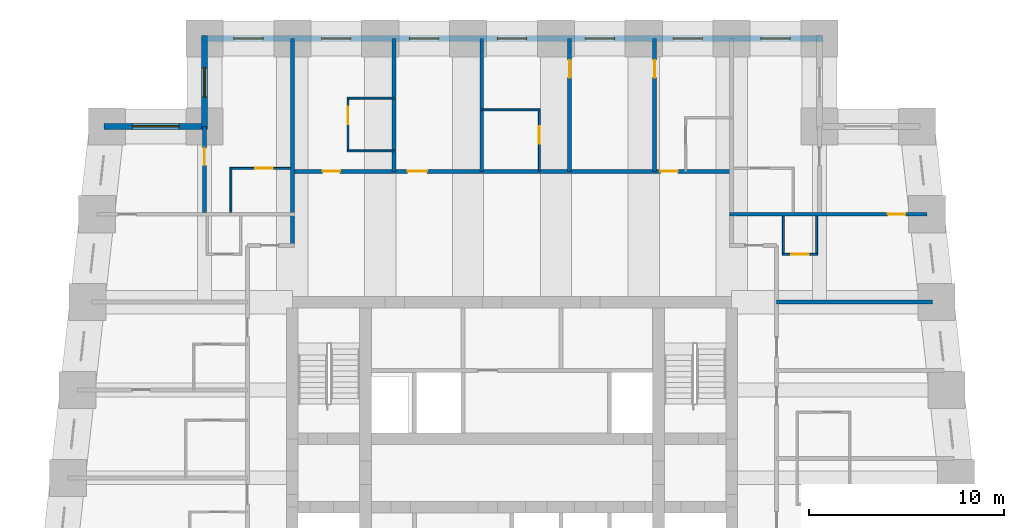
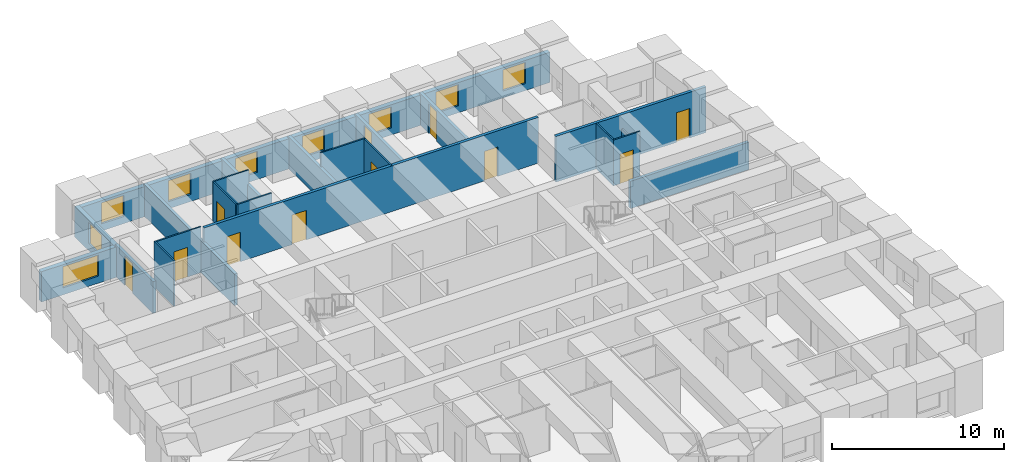
# One storey, part 6 of 8: 22 walls, 11 doors, 9 windows, 20 openings.
"""IFC4 building model written with IfcOpenShell, lengths in metres."""

from ifc_helpers import new_model, si_unit, direction, frame, frame_2d, origin, place, context, subcontext, project, spatial, rectangle, extrude, material, layer, layer_set, type_object, element, fill, save


model = new_model("IFC4")

# Units and contexts
model_context = context("Model", 3, precision=1e-05, world=origin(), true_north=direction((0.0, 1.0)))
body_context = subcontext(model_context, "Body", "Model", "MODEL_VIEW")
ifc_project = project(units=[si_unit("LENGTHUNIT", "METRE"), si_unit("AREAUNIT", "SQUARE_METRE"), si_unit("VOLUMEUNIT", "CUBIC_METRE"), si_unit("PLANEANGLEUNIT", "RADIAN"), si_unit("MASSUNIT", "GRAM", prefix="KILO")], contexts=[model_context])

# Site, building, storey
site_placement = place(None, origin())
site = spatial("IfcSite", under=ifc_project, at=site_placement, CompositionType="ELEMENT")
building_placement = place(site_placement, origin())
building = spatial("IfcBuilding", under=site, at=building_placement, Name="Kilele Tower Hotel", CompositionType="ELEMENT")
storey_placement = place(building_placement, frame((0.0, 0.0, 128.39990234375)))
storey = spatial("IfcBuildingStorey", under=building, at=storey_placement, Name="L33", CompositionType="ELEMENT", Elevation=128.39990234375)

# Walls
ifc_material_1 = material(Name="Moisture-resistant board")
ifc_layer_1 = layer(ifc_material_1, 0.10009765625)
ifc_layer_set_1 = layer_set([ifc_layer_1], Name="Moisture-resistant board")
wall_type_1 = type_object("IfcWallType", Name="Bathroom partition 100", PredefinedType="PLUMBINGWALL", material=ifc_layer_set_1)
for number, where, z_axis, x_axis, name in (
    (1, (16.300048828125, 34.75, 0.0), (0.0, 0.0, 1.0), (1.0, 0.0, 0.0), "Bathroom partition 100 L33"),
    (2, (16.300048828125, 37.449951171875, 0.0), (0.0, 0.0, 1.0), (1.0, 0.0, 0.0), "Bathroom partition 100 L33"),
):
    element("IfcWall", number, at=place(storey_placement, frame(where, z_axis=z_axis, x_axis=x_axis)), inside=storey, type_object=wall_type_1, Name=name, PredefinedType="PLUMBINGWALL", context=body_context, shape_type="SweptSolid", body=[
        extrude(rectangle(XDim=2.39990234375, YDim=0.10009765625, at=frame_2d((1.199951171875, 0.0))), origin(), (0.0, 0.0, 1.0), 3.25),
    ])

# Wall, opening, door
wall_1_placement = place(storey_placement, frame((16.35009765625, 34.699951171875, 0.0), z_axis=(0.0, 0.0, 1.0), x_axis=(0.0, 1.0, 0.0)))
wall_1 = element("IfcWall", 3, at=wall_1_placement, inside=storey, type_object=wall_type_1, Name="Bathroom partition 100 L33", PredefinedType="PLUMBINGWALL", context=body_context, shape_type="SweptSolid", body=[
    extrude(rectangle(XDim=2.800048828125, YDim=0.10009765625, at=frame_2d((1.39990234375, 0.0))), origin(), (0.0, 0.0, 1.0), 3.25),
])
opening_1_placement = place(wall_1_placement, frame((1.39990234375, 0.0, 0.0)))
opening_1 = element("IfcOpeningElement", 4, at=opening_1_placement, cuts=wall_1, Name="Opening D2A", PredefinedType="OPENING", context=body_context, shape_type="SweptSolid", body=[
    extrude(rectangle(XDim=0.89990234375, YDim=2.10009765625, at=frame_2d((0.449951171875, 1.050048828125))), frame((0.0, 0.06005859375, 0.0), z_axis=(0.0, -1.0, 0.0), x_axis=(1.0, 0.0, 0.0)), (0.0, 0.0, 1.0), 0.1201171875),
])
ifc_material_2 = material(Name="Timber door leaf in hardwood frame", Category="wood")
door_type_1 = type_object("IfcDoorType", Name="Bathroom door 900", OperationType="SINGLE_SWING_LEFT", PredefinedType="DOOR", material=ifc_material_2)
door_1_placement = place(opening_1_placement, origin())
door_1 = element("IfcDoor", 5, at=door_1_placement, inside=storey, type_object=door_type_1, Name="Bathroom door 3309B", OperationType="SINGLE_SWING_RIGHT", OverallHeight=2.10009765625, OverallWidth=0.89990234375, PredefinedType="DOOR", context=body_context, shape_type="SweptSolid", body=[
    extrude(rectangle(XDim=0.89990234375, YDim=2.10009765625, at=frame_2d((0.449951171875, 1.050048828125))), frame((0.0, 0.02490234375, 0.0), z_axis=(0.0, -1.0, 0.0), x_axis=(1.0, 0.0, 0.0)), (0.0, 0.0, 1.0), 0.050048828125),
])
fill(opening_1, door_1)

# Wall
wall_2_placement = place(storey_placement, frame((23.199951171875, 36.85009765625, 0.0), z_axis=(0.0, 0.0, 1.0), x_axis=(1.0, 0.0, 0.0)))
element("IfcWall", 6, at=wall_2_placement, inside=storey, type_object=wall_type_1, Name="Bathroom partition 100 L33", PredefinedType="PLUMBINGWALL", context=body_context, shape_type="SweptSolid", body=[
    extrude(rectangle(XDim=3.0, YDim=0.10009765625, at=frame_2d((1.5, 0.0))), origin(), (0.0, 0.0, 1.0), 3.25),
])

# Wall, opening, door
wall_3_placement = place(storey_placement, frame((26.14990234375, 33.699951171875, 0.0), z_axis=(0.0, 0.0, 1.0), x_axis=(0.0, 1.0, 0.0)))
wall_3 = element("IfcWall", 7, at=wall_3_placement, inside=storey, type_object=wall_type_1, Name="Bathroom partition 100 L33", PredefinedType="PLUMBINGWALL", context=body_context, shape_type="SweptSolid", body=[
    extrude(rectangle(XDim=3.199951171875, YDim=0.10009765625, at=frame_2d((1.60009765625, 0.0))), origin(), (0.0, 0.0, 1.0), 3.25),
])
opening_2_placement = place(wall_3_placement, frame((2.2998046875, 0.0, 0.0), z_axis=(0.0, 0.0, 1.0), x_axis=(-1.0, 0.0, 0.0)))
opening_2 = element("IfcOpeningElement", 8, at=opening_2_placement, cuts=wall_3, Name="Opening D2A", PredefinedType="OPENING", context=body_context, shape_type="SweptSolid", body=[
    extrude(rectangle(XDim=0.89990234375, YDim=2.10009765625, at=frame_2d((0.449951171875, 1.050048828125))), frame((0.0, 0.06005859375, 0.0), z_axis=(0.0, -1.0, 0.0), x_axis=(1.0, 0.0, 0.0)), (0.0, 0.0, 1.0), 0.1201171875),
])
door_2_placement = place(opening_2_placement, origin())
door_2 = element("IfcDoor", 9, at=door_2_placement, inside=storey, type_object=door_type_1, Name="Bathroom door 3311B", OperationType="SINGLE_SWING_RIGHT", OverallHeight=2.10009765625, OverallWidth=0.89990234375, PredefinedType="DOOR", context=body_context, shape_type="SweptSolid", body=[
    extrude(rectangle(XDim=0.89990234375, YDim=2.10009765625, at=frame_2d((0.449951171875, 1.050048828125))), frame((0.0, 0.02490234375, 0.0), z_axis=(0.0, -1.0, 0.0), x_axis=(1.0, 0.0, 0.0)), (0.0, 0.0, 1.0), 0.050048828125),
])
fill(opening_2, door_2)

# Walls
wall_4_placement = place(storey_placement, frame((40.35009765625, 31.39990234375, 0.0), z_axis=(0.0, 0.0, 1.0), x_axis=(0.0, -1.0, 0.0)))
element("IfcWall", 10, at=wall_4_placement, inside=storey, type_object=wall_type_1, Name="Bathroom partition 100 L33", PredefinedType="PLUMBINGWALL", context=body_context, shape_type="SweptSolid", body=[
    extrude(rectangle(XDim=2.0, YDim=0.10009765625, at=frame_2d((1.0, 0.0))), origin(), (0.0, 0.0, 1.0), 2.25),
])
wall_5_placement = place(storey_placement, frame((38.64990234375, 31.39990234375, 0.0), z_axis=(0.0, 0.0, 1.0), x_axis=(0.0, -1.0, 0.0)))
element("IfcWall", 11, at=wall_5_placement, inside=storey, type_object=wall_type_1, Name="Bathroom partition 100 L33", PredefinedType="PLUMBINGWALL", context=body_context, shape_type="SweptSolid", body=[
    extrude(rectangle(XDim=2.0, YDim=0.10009765625, at=frame_2d((1.0, 0.0))), origin(), (0.0, 0.0, 1.0), 3.25),
])

# Wall, opening, door
wall_6_placement = place(storey_placement, frame((38.60009765625, 29.449951171875, 0.0), z_axis=(0.0, 0.0, 1.0), x_axis=(1.0, 0.0, 0.0)))
wall_6 = element("IfcWall", 12, at=wall_6_placement, inside=storey, type_object=wall_type_1, Name="Bathroom partition 100 L33", PredefinedType="PLUMBINGWALL", context=body_context, shape_type="SweptSolid", body=[
    extrude(rectangle(XDim=1.7998046875, YDim=0.10009765625, at=frame_2d((0.89990234375, 0.0))), origin(), (0.0, 0.0, 1.0), 3.25),
])
opening_3_placement = place(wall_6_placement, frame((1.349853515625, 0.0, 0.0), z_axis=(0.0, 0.0, 1.0), x_axis=(-1.0, 0.0, 0.0)))
opening_3 = element("IfcOpeningElement", 13, at=opening_3_placement, cuts=wall_6, Name="Opening D2A", PredefinedType="OPENING", context=body_context, shape_type="SweptSolid", body=[
    extrude(rectangle(XDim=0.89990234375, YDim=2.10009765625, at=frame_2d((0.449951171875, 1.050048828125))), frame((0.0, 0.06005859375, 0.0), z_axis=(0.0, -1.0, 0.0), x_axis=(1.0, 0.0, 0.0)), (0.0, 0.0, 1.0), 0.1201171875),
])
door_3_placement = place(opening_3_placement, origin())
door_3 = element("IfcDoor", 14, at=door_3_placement, inside=storey, type_object=door_type_1, Name="Bathroom door 3323P", OperationType="SINGLE_SWING_RIGHT", OverallHeight=2.10009765625, OverallWidth=0.89990234375, PredefinedType="DOOR", context=body_context, shape_type="SweptSolid", body=[
    extrude(rectangle(XDim=0.89990234375, YDim=2.10009765625, at=frame_2d((0.449951171875, 1.050048828125))), frame((0.0, 0.02490234375, 0.0), z_axis=(0.0, -1.0, 0.0), x_axis=(1.0, 0.0, 0.0)), (0.0, 0.0, 1.0), 0.050048828125),
])
fill(opening_3, door_3)

# Wall
wall_7_placement = place(storey_placement, frame((10.35009765625, 31.60009765625, 0.0), z_axis=(0.0, 0.0, 1.0), x_axis=(0.0, 1.0, 0.0)))
element("IfcWall", 15, at=wall_7_placement, inside=storey, type_object=wall_type_1, Name="Bathroom partition 100 L33", PredefinedType="PLUMBINGWALL", context=body_context, shape_type="SweptSolid", body=[
    extrude(rectangle(XDim=2.2998046875, YDim=0.10009765625, at=frame_2d((1.14990234375, 0.0))), origin(), (0.0, 0.0, 1.0), 3.25),
])

# Wall, opening, door
wall_8_placement = place(storey_placement, frame((13.39990234375, 33.85009765625, 0.0), z_axis=(0.0, 0.0, 1.0), x_axis=(-1.0, 0.0, 0.0)))
wall_8 = element("IfcWall", 16, at=wall_8_placement, inside=storey, type_object=wall_type_1, Name="Bathroom partition 100 L33", PredefinedType="PLUMBINGWALL", context=body_context, shape_type="SweptSolid", body=[
    extrude(rectangle(XDim=3.099853515625, YDim=0.10009765625, at=frame_2d((1.5498046875, 0.0))), origin(), (0.0, 0.0, 1.0), 3.25),
])
opening_4_placement = place(wall_8_placement, frame((1.7998046875, 0.0, 0.0), z_axis=(0.0, 0.0, 1.0), x_axis=(-1.0, 0.0, 0.0)))
opening_4 = element("IfcOpeningElement", 17, at=opening_4_placement, cuts=wall_8, Name="Opening D2A", PredefinedType="OPENING", context=body_context, shape_type="SweptSolid", body=[
    extrude(rectangle(XDim=0.89990234375, YDim=2.10009765625, at=frame_2d((0.449951171875, 1.050048828125))), frame((0.0, 0.06005859375, 0.0), z_axis=(0.0, -1.0, 0.0), x_axis=(1.0, 0.0, 0.0)), (0.0, 0.0, 1.0), 0.1201171875),
])
door_4_placement = place(opening_4_placement, origin())
door_4 = element("IfcDoor", 18, at=door_4_placement, inside=storey, type_object=door_type_1, Name="Bathroom door 3327B", OperationType="SINGLE_SWING_RIGHT", OverallHeight=2.10009765625, OverallWidth=0.89990234375, PredefinedType="DOOR", context=body_context, shape_type="SweptSolid", body=[
    extrude(rectangle(XDim=0.89990234375, YDim=2.10009765625, at=frame_2d((0.449951171875, 1.050048828125))), frame((0.0, 0.02490234375, 0.0), z_axis=(0.0, -1.0, 0.0), x_axis=(1.0, 0.0, 0.0)), (0.0, 0.0, 1.0), 0.050048828125),
])
fill(opening_4, door_4)

# Wall, openings, doors
ifc_material_3 = material(Name="Blockwork, plastered both sides", Category="masonry")
ifc_layer_2 = layer(ifc_material_3, 0.199951171875)
ifc_layer_set_2 = layer_set([ifc_layer_2], Name="Blockwork, plastered both sides")
wall_type_2 = type_object("IfcWallType", Name="Corridor wall 200", PredefinedType="PARTITIONING", material=ifc_layer_set_2)
wall_9_placement = place(storey_placement, frame((13.5, 33.699951171875, 0.0), z_axis=(0.0, 0.0, 1.0), x_axis=(1.0, 0.0, 0.0)))
wall_9 = element("IfcWall", 19, at=wall_9_placement, inside=storey, type_object=wall_type_2, Name="Corridor wall 200 L33", PredefinedType="PARTITIONING", context=body_context, shape_type="SweptSolid", body=[
    extrude(rectangle(XDim=22.5, YDim=0.199951171875, at=frame_2d((11.25, 0.0))), origin(), (0.0, 0.0, 1.0), 3.25),
])
opening_5_placement = place(wall_9_placement, frame((1.550048828125, 0.0, 0.0)))
opening_5 = element("IfcOpeningElement", 20, at=opening_5_placement, cuts=wall_9, Name="Opening D1", PredefinedType="OPENING", context=body_context, shape_type="SweptSolid", body=[
    extrude(rectangle(XDim=0.89990234375, YDim=2.10009765625, at=frame_2d((0.449951171875, 1.050048828125))), frame((0.0, 0.10986328125, 0.0), z_axis=(0.0, -1.0, 0.0), x_axis=(1.0, 0.0, 0.0)), (0.0, 0.0, 1.0), 0.219970703125),
])
opening_6_placement = place(wall_9_placement, frame((5.89990234375, 0.0, 0.0)))
opening_6 = element("IfcOpeningElement", 21, at=opening_6_placement, cuts=wall_9, Name="Opening D8", PredefinedType="OPENING", context=body_context, shape_type="SweptSolid", body=[
    extrude(rectangle(XDim=1.0, YDim=2.10009765625, at=frame_2d((0.5, 1.050048828125))), frame((0.0, 0.10986328125, 0.0), z_axis=(0.0, -1.0, 0.0), x_axis=(1.0, 0.0, 0.0)), (0.0, 0.0, 1.0), 0.219970703125),
])
opening_7_placement = place(wall_9_placement, frame((18.85009765625, 0.0, 0.0)))
opening_7 = element("IfcOpeningElement", 22, at=opening_7_placement, cuts=wall_9, Name="Opening D1", PredefinedType="OPENING", context=body_context, shape_type="SweptSolid", body=[
    extrude(rectangle(XDim=0.89990234375, YDim=2.10009765625, at=frame_2d((0.449951171875, 1.050048828125))), frame((0.0, 0.10986328125, 0.0), z_axis=(0.0, -1.0, 0.0), x_axis=(1.0, 0.0, 0.0)), (0.0, 0.0, 1.0), 0.219970703125),
])
ifc_material_4 = material(Name="Timber door leaf in hardwood frame", Category="wood")
door_type_2 = type_object("IfcDoorType", Name="Door 1000", OperationType="SINGLE_SWING_LEFT", PredefinedType="DOOR", material=ifc_material_4)
door_5_placement = place(opening_6_placement, origin())
door_5 = element("IfcDoor", 23, at=door_5_placement, inside=storey, type_object=door_type_2, Name="Room entrance 3310", OperationType="SINGLE_SWING_LEFT", OverallHeight=2.10009765625, OverallWidth=1.0, PredefinedType="DOOR", context=body_context, shape_type="SweptSolid", body=[
    extrude(rectangle(XDim=1.0, YDim=2.10009765625, at=frame_2d((0.5, 1.050048828125))), frame((0.0, 0.02490234375, 0.0), z_axis=(0.0, -1.0, 0.0), x_axis=(1.0, 0.0, 0.0)), (0.0, 0.0, 1.0), 0.050048828125),
])
fill(opening_6, door_5)
ifc_material_5 = material(Name="Timber door leaf in hardwood frame", Category="wood")
door_type_3 = type_object("IfcDoorType", Name="Guest room entrance door 900", OperationType="SINGLE_SWING_LEFT", PredefinedType="DOOR", material=ifc_material_5)
door_6_placement = place(opening_5_placement, origin())
door_6 = element("IfcDoor", 24, at=door_6_placement, inside=storey, type_object=door_type_3, Name="Room entrance 3309", OperationType="SINGLE_SWING_RIGHT", OverallHeight=2.10009765625, OverallWidth=0.89990234375, PredefinedType="DOOR", context=body_context, shape_type="SweptSolid", body=[
    extrude(rectangle(XDim=0.89990234375, YDim=2.10009765625, at=frame_2d((0.449951171875, 1.050048828125))), frame((0.0, 0.02490234375, 0.0), z_axis=(0.0, -1.0, 0.0), x_axis=(1.0, 0.0, 0.0)), (0.0, 0.0, 1.0), 0.050048828125),
])
fill(opening_5, door_6)
door_7_placement = place(opening_7_placement, origin())
door_7 = element("IfcDoor", 25, at=door_7_placement, inside=storey, type_object=door_type_3, Name="Room entrance 3313", OperationType="SINGLE_SWING_LEFT", OverallHeight=2.10009765625, OverallWidth=0.89990234375, PredefinedType="DOOR", context=body_context, shape_type="SweptSolid", body=[
    extrude(rectangle(XDim=0.89990234375, YDim=2.10009765625, at=frame_2d((0.449951171875, 1.050048828125))), frame((0.0, 0.02490234375, 0.0), z_axis=(0.0, -1.0, 0.0), x_axis=(1.0, 0.0, 0.0)), (0.0, 0.0, 1.0), 0.050048828125),
])
fill(opening_7, door_7)

# Wall, opening, door
ifc_material_6 = material(Name="Blockwork, plastered both sides", Category="masonry")
ifc_layer_3 = layer(ifc_material_6, 0.199951171875)
ifc_layer_set_3 = layer_set([ifc_layer_3], Name="Blockwork, plastered both sides")
wall_type_3 = type_object("IfcWallType", Name="Partition wall 200", PredefinedType="PARTITIONING", material=ifc_layer_set_3)
wall_10_placement = place(storey_placement, frame((9.0, 31.60009765625, 0.0), z_axis=(0.0, 0.0, 1.0), x_axis=(0.0, 1.0, 0.0)))
wall_10 = element("IfcWall", 26, at=wall_10_placement, inside=storey, type_object=wall_type_3, Name="Partition wall 200 L33", PredefinedType="PARTITIONING", context=body_context, shape_type="SweptSolid", body=[
    extrude(rectangle(XDim=4.39990234375, YDim=0.199951171875, at=frame_2d((2.199951171875, 0.0))), origin(), (0.0, 0.0, 1.0), 2.25),
])
opening_8_placement = place(wall_10_placement, frame((2.39990234375, 0.0, 0.0)))
opening_8 = element("IfcOpeningElement", 27, at=opening_8_placement, cuts=wall_10, Name="Opening D3", PredefinedType="OPENING", context=body_context, shape_type="SweptSolid", body=[
    extrude(rectangle(XDim=0.89990234375, YDim=2.10009765625, at=frame_2d((0.449951171875, 1.050048828125))), frame((0.0, 0.10986328125, 0.0), z_axis=(0.0, -1.0, 0.0), x_axis=(1.0, 0.0, 0.0)), (0.0, 0.0, 1.0), 0.219970703125),
])
ifc_material_7 = material(Name="Timber door leaf in hardwood frame", Category="wood")
door_type_4 = type_object("IfcDoorType", Name="Suite internal door 900", OperationType="SINGLE_SWING_LEFT", PredefinedType="DOOR", material=ifc_material_7)
door_8_placement = place(opening_8_placement, origin())
door_8 = element("IfcDoor", 28, at=door_8_placement, inside=storey, type_object=door_type_4, Name="Suite door 3328", OperationType="SINGLE_SWING_RIGHT", OverallHeight=2.10009765625, OverallWidth=0.89990234375, PredefinedType="DOOR", context=body_context, shape_type="SweptSolid", body=[
    extrude(rectangle(XDim=0.89990234375, YDim=2.10009765625, at=frame_2d((0.449951171875, 1.050048828125))), frame((0.0, 0.02490234375, 0.0), z_axis=(0.0, -1.0, 0.0), x_axis=(1.0, 0.0, 0.0)), (0.0, 0.0, 1.0), 0.050048828125),
])
fill(opening_8, door_8)

# Walls
ifc_material_8 = material(Name="Blockwork, plastered both sides", Category="masonry")
ifc_layer_4 = layer(ifc_material_8, 0.199951171875)
ifc_layer_set_4 = layer_set([ifc_layer_4], Name="Blockwork, plastered both sides")
wall_type_4 = type_object("IfcWallType", Name="Party wall 200", PredefinedType="PARTITIONING", material=ifc_layer_set_4)
for number, where, z_axis, x_axis, name in (
    (29, (18.699951171875, 33.699951171875, 0.0), (0.0, 0.0, 1.0), (0.0, 1.0, 0.0), "Party wall 200 L33"),
    (30, (23.199951171875, 33.699951171875, 0.0), (0.0, 0.0, 1.0), (0.0, 1.0, 0.0), "Party wall 200 L33"),
):
    element("IfcWall", number, at=place(storey_placement, frame(where, z_axis=z_axis, x_axis=x_axis)), inside=storey, type_object=wall_type_4, Name=name, PredefinedType="PARTITIONING", context=body_context, shape_type="SweptSolid", body=[
        extrude(rectangle(XDim=6.800048828125, YDim=0.199951171875, at=frame_2d((3.39990234375, 0.0))), origin(), (0.0, 0.0, 1.0), 2.25),
    ])

# Wall, opening, door
wall_11_placement = place(storey_placement, frame((27.699951171875, 33.699951171875, 0.0), z_axis=(0.0, 0.0, 1.0), x_axis=(0.0, 1.0, 0.0)))
wall_11 = element("IfcWall", 31, at=wall_11_placement, inside=storey, type_object=wall_type_4, Name="Party wall 200 L33", PredefinedType="PARTITIONING", context=body_context, shape_type="SweptSolid", body=[
    extrude(rectangle(XDim=6.800048828125, YDim=0.199951171875, at=frame_2d((3.39990234375, 0.0))), origin(), (0.0, 0.0, 1.0), 2.25),
])
opening_9_placement = place(wall_11_placement, frame((4.800048828125, 0.0, 0.0)))
opening_9 = element("IfcOpeningElement", 32, at=opening_9_placement, cuts=wall_11, Name="Opening D3", PredefinedType="OPENING", context=body_context, shape_type="SweptSolid", body=[
    extrude(rectangle(XDim=0.89990234375, YDim=2.10009765625, at=frame_2d((0.449951171875, 1.050048828125))), frame((0.0, 0.10986328125, 0.0), z_axis=(0.0, -1.0, 0.0), x_axis=(1.0, 0.0, 0.0)), (0.0, 0.0, 1.0), 0.219970703125),
])
door_9_placement = place(opening_9_placement, origin())
door_9 = element("IfcDoor", 33, at=door_9_placement, inside=storey, type_object=door_type_4, Name="Suite door 3312", OperationType="SINGLE_SWING_RIGHT", OverallHeight=2.10009765625, OverallWidth=0.89990234375, PredefinedType="DOOR", context=body_context, shape_type="SweptSolid", body=[
    extrude(rectangle(XDim=0.89990234375, YDim=2.10009765625, at=frame_2d((0.449951171875, 1.050048828125))), frame((0.0, 0.02490234375, 0.0), z_axis=(0.0, -1.0, 0.0), x_axis=(1.0, 0.0, 0.0)), (0.0, 0.0, 1.0), 0.050048828125),
])
fill(opening_9, door_9)

wall_12_placement = place(storey_placement, frame((32.050048828125, 33.699951171875, 0.0), z_axis=(0.0, 0.0, 1.0), x_axis=(0.0, 1.0, 0.0)))
wall_12 = element("IfcWall", 34, at=wall_12_placement, inside=storey, type_object=wall_type_4, Name="Party wall 200 L33", PredefinedType="PARTITIONING", context=body_context, shape_type="SweptSolid", body=[
    extrude(rectangle(XDim=6.800048828125, YDim=0.199951171875, at=frame_2d((3.39990234375, 0.0))), origin(), (0.0, 0.0, 1.0), 2.25),
])
opening_10_placement = place(wall_12_placement, frame((4.800048828125, 0.0, 0.0)))
opening_10 = element("IfcOpeningElement", 35, at=opening_10_placement, cuts=wall_12, Name="Opening D3", PredefinedType="OPENING", context=body_context, shape_type="SweptSolid", body=[
    extrude(rectangle(XDim=0.89990234375, YDim=2.10009765625, at=frame_2d((0.449951171875, 1.050048828125))), frame((0.0, 0.10986328125, 0.0), z_axis=(0.0, -1.0, 0.0), x_axis=(1.0, 0.0, 0.0)), (0.0, 0.0, 1.0), 0.219970703125),
])
door_10_placement = place(opening_10_placement, origin())
door_10 = element("IfcDoor", 36, at=door_10_placement, inside=storey, type_object=door_type_4, Name="Suite door 3313", OperationType="SINGLE_SWING_RIGHT", OverallHeight=2.10009765625, OverallWidth=0.89990234375, PredefinedType="DOOR", context=body_context, shape_type="SweptSolid", body=[
    extrude(rectangle(XDim=0.89990234375, YDim=2.10009765625, at=frame_2d((0.449951171875, 1.050048828125))), frame((0.0, 0.02490234375, 0.0), z_axis=(0.0, -1.0, 0.0), x_axis=(1.0, 0.0, 0.0)), (0.0, 0.0, 1.0), 0.050048828125),
])
fill(opening_10, door_10)

# Wall
wall_13_placement = place(storey_placement, frame((38.300048828125, 27.0, 0.0), z_axis=(0.0, 0.0, 1.0), x_axis=(1.0, 0.0, 0.0)))
element("IfcWall", 37, at=wall_13_placement, inside=storey, type_object=wall_type_4, Name="Party wall 200 L33", PredefinedType="PARTITIONING", context=body_context, shape_type="SweptSolid", body=[
    extrude(rectangle(XDim=7.976806640625, YDim=0.199951171875, at=frame_2d((3.98828125, 0.0))), origin(), (0.0, 0.0, 1.0), 1.9501953125),
])

# Wall, opening, door
wall_14_placement = place(storey_placement, frame((35.89990234375, 31.5, 0.0), z_axis=(0.0, 0.0, 1.0), x_axis=(1.0, 0.0, 0.0)))
wall_14 = element("IfcWall", 38, at=wall_14_placement, inside=storey, type_object=wall_type_4, Name="Party wall 200 L33", PredefinedType="PARTITIONING", context=body_context, shape_type="SweptSolid", body=[
    extrude(rectangle(XDim=10.09912109375, YDim=0.199951171875, at=frame_2d((5.049560546875, 0.0))), origin(), (0.0, 0.0, 1.0), 3.25),
])
opening_11_placement = place(wall_14_placement, frame((8.09912109375, 0.0, 0.0)))
opening_11 = element("IfcOpeningElement", 39, at=opening_11_placement, cuts=wall_14, Name="Opening D3", PredefinedType="OPENING", context=body_context, shape_type="SweptSolid", body=[
    extrude(rectangle(XDim=0.89990234375, YDim=2.10009765625, at=frame_2d((0.449951171875, 1.050048828125))), frame((0.0, 0.10986328125, 0.0), z_axis=(0.0, -1.0, 0.0), x_axis=(1.0, 0.0, 0.0)), (0.0, 0.0, 1.0), 0.219970703125),
])
door_11_placement = place(opening_11_placement, origin())
door_11 = element("IfcDoor", 40, at=door_11_placement, inside=storey, type_object=door_type_4, Name="Suite door 3324", OperationType="SINGLE_SWING_RIGHT", OverallHeight=2.10009765625, OverallWidth=0.89990234375, PredefinedType="DOOR", context=body_context, shape_type="SweptSolid", body=[
    extrude(rectangle(XDim=0.89990234375, YDim=2.10009765625, at=frame_2d((0.449951171875, 1.050048828125))), frame((0.0, 0.02490234375, 0.0), z_axis=(0.0, -1.0, 0.0), x_axis=(1.0, 0.0, 0.0)), (0.0, 0.0, 1.0), 0.050048828125),
])
fill(opening_11, door_11)

# Wall
wall_15_placement = place(storey_placement, frame((13.5, 29.89990234375, 0.0), z_axis=(0.0, 0.0, 1.0), x_axis=(0.0, 1.0, 0.0)))
element("IfcWall", 41, at=wall_15_placement, inside=storey, type_object=wall_type_4, Name="Party wall 200 L33", PredefinedType="PARTITIONING", context=body_context, shape_type="SweptSolid", body=[
    extrude(rectangle(XDim=10.60009765625, YDim=0.199951171875, at=frame_2d((5.300048828125, 0.0))), origin(), (0.0, 0.0, 1.0), 2.25),
])

# Wall, openings, windows
ifc_material_9 = material(Name="Concrete C40/50 precast", Category="concrete")
ifc_layer_5 = layer(ifc_material_9, 0.260009765625, Name="Precast backing", Category="LoadBearing")
ifc_material_10 = material(Name="Reconstituted stone finish", Category="masonry")
ifc_layer_6 = layer(ifc_material_10, 0.0400390625, Name="Face mix", Category="Finish")
ifc_layer_set_5 = layer_set([ifc_layer_5, ifc_layer_6], Name="Precast concrete C40/50, reconstituted stone finish")
wall_type_5 = type_object("IfcWallType", Name="Precast stone facade wall 300", PredefinedType="STANDARD", material=ifc_layer_set_5)
wall_16_placement = place(storey_placement, frame((40.64990234375, 40.5, 0.0), z_axis=(0.0, 0.0, 1.0), x_axis=(-1.0, 0.0, 0.0)))
wall_16 = element("IfcWall", 42, at=wall_16_placement, inside=storey, type_object=wall_type_5, Name="Facade wall L33 edge 9", PredefinedType="STANDARD", context=body_context, shape_type="SweptSolid", body=[
    extrude(rectangle(XDim=31.7998046875, YDim=0.300048828125, at=frame_2d((15.89990234375, 0.0))), origin(), (0.0, 0.0, 1.0), 2.150146484375),
])
opening_12_placement = place(wall_16_placement, frame((1.64990234375, 0.0, 0.5)))
opening_12 = element("IfcOpeningElement", 43, at=opening_12_placement, cuts=wall_16, Name="Opening W2", PredefinedType="OPENING", context=body_context, shape_type="SweptSolid", body=[
    extrude(rectangle(XDim=1.5, YDim=1.5, at=frame_2d((0.75, 0.75))), frame((0.0, 0.159912109375, 0.0), z_axis=(0.0, -1.0, 0.0), x_axis=(1.0, 0.0, 0.0)), (0.0, 0.0, 1.0), 0.320068359375),
])
opening_13_placement = place(wall_16_placement, frame((6.14990234375, 0.0, 0.5)))
opening_13 = element("IfcOpeningElement", 44, at=opening_13_placement, cuts=wall_16, Name="Opening W2", PredefinedType="OPENING", context=body_context, shape_type="SweptSolid", body=[
    extrude(rectangle(XDim=1.5, YDim=1.5, at=frame_2d((0.75, 0.75))), frame((0.0, 0.159912109375, 0.0), z_axis=(0.0, -1.0, 0.0), x_axis=(1.0, 0.0, 0.0)), (0.0, 0.0, 1.0), 0.320068359375),
])
opening_14_placement = place(wall_16_placement, frame((10.64990234375, 0.0, 0.5)))
opening_14 = element("IfcOpeningElement", 45, at=opening_14_placement, cuts=wall_16, Name="Opening W2", PredefinedType="OPENING", context=body_context, shape_type="SweptSolid", body=[
    extrude(rectangle(XDim=1.5, YDim=1.5, at=frame_2d((0.75, 0.75))), frame((0.0, 0.159912109375, 0.0), z_axis=(0.0, -1.0, 0.0), x_axis=(1.0, 0.0, 0.0)), (0.0, 0.0, 1.0), 0.320068359375),
])
opening_15_placement = place(wall_16_placement, frame((15.14990234375, 0.0, 0.5)))
opening_15 = element("IfcOpeningElement", 46, at=opening_15_placement, cuts=wall_16, Name="Opening W2", PredefinedType="OPENING", context=body_context, shape_type="SweptSolid", body=[
    extrude(rectangle(XDim=1.5, YDim=1.5, at=frame_2d((0.75, 0.75))), frame((0.0, 0.159912109375, 0.0), z_axis=(0.0, -1.0, 0.0), x_axis=(1.0, 0.0, 0.0)), (0.0, 0.0, 1.0), 0.320068359375),
])
opening_16_placement = place(wall_16_placement, frame((19.64990234375, 0.0, 0.5)))
opening_16 = element("IfcOpeningElement", 47, at=opening_16_placement, cuts=wall_16, Name="Opening W2", PredefinedType="OPENING", context=body_context, shape_type="SweptSolid", body=[
    extrude(rectangle(XDim=1.5, YDim=1.5, at=frame_2d((0.75, 0.75))), frame((0.0, 0.159912109375, 0.0), z_axis=(0.0, -1.0, 0.0), x_axis=(1.0, 0.0, 0.0)), (0.0, 0.0, 1.0), 0.320068359375),
])
opening_17_placement = place(wall_16_placement, frame((24.14990234375, 0.0, 0.5)))
opening_17 = element("IfcOpeningElement", 48, at=opening_17_placement, cuts=wall_16, Name="Opening W2", PredefinedType="OPENING", context=body_context, shape_type="SweptSolid", body=[
    extrude(rectangle(XDim=1.5, YDim=1.5, at=frame_2d((0.75, 0.75))), frame((0.0, 0.159912109375, 0.0), z_axis=(0.0, -1.0, 0.0), x_axis=(1.0, 0.0, 0.0)), (0.0, 0.0, 1.0), 0.320068359375),
])
opening_18_placement = place(wall_16_placement, frame((28.64990234375, 0.0, 0.5)))
opening_18 = element("IfcOpeningElement", 49, at=opening_18_placement, cuts=wall_16, Name="Opening W2", PredefinedType="OPENING", context=body_context, shape_type="SweptSolid", body=[
    extrude(rectangle(XDim=1.5, YDim=1.5, at=frame_2d((0.75, 0.75))), frame((0.0, 0.159912109375, 0.0), z_axis=(0.0, -1.0, 0.0), x_axis=(1.0, 0.0, 0.0)), (0.0, 0.0, 1.0), 0.320068359375),
])
ifc_material_11 = material(Name="Aluminium frame, clear double glazing", Category="aluminium")
window_type_1 = type_object("IfcWindowType", Name="Window W2 1500 x 1500", PartitioningType="SINGLE_PANEL", PredefinedType="WINDOW", material=ifc_material_11)
window_1_placement = place(opening_12_placement, origin())
window_1 = element("IfcWindow", 50, at=window_1_placement, inside=storey, type_object=window_type_1, Name="Window L33", OverallHeight=1.5, OverallWidth=1.5, PartitioningType="SINGLE_PANEL", PredefinedType="WINDOW", context=body_context, shape_type="SweptSolid", body=[
    extrude(rectangle(XDim=1.5, YDim=1.5, at=frame_2d((0.75, 0.75))), frame((0.0, 0.030029296875, 0.0), z_axis=(0.0, -1.0, 0.0), x_axis=(1.0, 0.0, 0.0)), (0.0, 0.0, 1.0), 0.06005859375),
])
fill(opening_12, window_1)
window_2_placement = place(opening_13_placement, origin())
window_2 = element("IfcWindow", 51, at=window_2_placement, inside=storey, type_object=window_type_1, Name="Window L33", OverallHeight=1.5, OverallWidth=1.5, PartitioningType="SINGLE_PANEL", PredefinedType="WINDOW", context=body_context, shape_type="SweptSolid", body=[
    extrude(rectangle(XDim=1.5, YDim=1.5, at=frame_2d((0.75, 0.75))), frame((0.0, 0.030029296875, 0.0), z_axis=(0.0, -1.0, 0.0), x_axis=(1.0, 0.0, 0.0)), (0.0, 0.0, 1.0), 0.06005859375),
])
fill(opening_13, window_2)
window_3_placement = place(opening_14_placement, origin())
window_3 = element("IfcWindow", 52, at=window_3_placement, inside=storey, type_object=window_type_1, Name="Window L33", OverallHeight=1.5, OverallWidth=1.5, PartitioningType="SINGLE_PANEL", PredefinedType="WINDOW", context=body_context, shape_type="SweptSolid", body=[
    extrude(rectangle(XDim=1.5, YDim=1.5, at=frame_2d((0.75, 0.75))), frame((0.0, 0.030029296875, 0.0), z_axis=(0.0, -1.0, 0.0), x_axis=(1.0, 0.0, 0.0)), (0.0, 0.0, 1.0), 0.06005859375),
])
fill(opening_14, window_3)
window_4_placement = place(opening_15_placement, origin())
window_4 = element("IfcWindow", 53, at=window_4_placement, inside=storey, type_object=window_type_1, Name="Window L33", OverallHeight=1.5, OverallWidth=1.5, PartitioningType="SINGLE_PANEL", PredefinedType="WINDOW", context=body_context, shape_type="SweptSolid", body=[
    extrude(rectangle(XDim=1.5, YDim=1.5, at=frame_2d((0.75, 0.75))), frame((0.0, 0.030029296875, 0.0), z_axis=(0.0, -1.0, 0.0), x_axis=(1.0, 0.0, 0.0)), (0.0, 0.0, 1.0), 0.06005859375),
])
fill(opening_15, window_4)
window_5_placement = place(opening_16_placement, origin())
window_5 = element("IfcWindow", 54, at=window_5_placement, inside=storey, type_object=window_type_1, Name="Window L33", OverallHeight=1.5, OverallWidth=1.5, PartitioningType="SINGLE_PANEL", PredefinedType="WINDOW", context=body_context, shape_type="SweptSolid", body=[
    extrude(rectangle(XDim=1.5, YDim=1.5, at=frame_2d((0.75, 0.75))), frame((0.0, 0.030029296875, 0.0), z_axis=(0.0, -1.0, 0.0), x_axis=(1.0, 0.0, 0.0)), (0.0, 0.0, 1.0), 0.06005859375),
])
fill(opening_16, window_5)
window_6_placement = place(opening_17_placement, origin())
window_6 = element("IfcWindow", 55, at=window_6_placement, inside=storey, type_object=window_type_1, Name="Window L33", OverallHeight=1.5, OverallWidth=1.5, PartitioningType="SINGLE_PANEL", PredefinedType="WINDOW", context=body_context, shape_type="SweptSolid", body=[
    extrude(rectangle(XDim=1.5, YDim=1.5, at=frame_2d((0.75, 0.75))), frame((0.0, 0.030029296875, 0.0), z_axis=(0.0, -1.0, 0.0), x_axis=(1.0, 0.0, 0.0)), (0.0, 0.0, 1.0), 0.06005859375),
])
fill(opening_17, window_6)
window_7_placement = place(opening_18_placement, origin())
window_7 = element("IfcWindow", 56, at=window_7_placement, inside=storey, type_object=window_type_1, Name="Window L33", OverallHeight=1.5, OverallWidth=1.5, PartitioningType="SINGLE_PANEL", PredefinedType="WINDOW", context=body_context, shape_type="SweptSolid", body=[
    extrude(rectangle(XDim=1.5, YDim=1.5, at=frame_2d((0.75, 0.75))), frame((0.0, 0.030029296875, 0.0), z_axis=(0.0, -1.0, 0.0), x_axis=(1.0, 0.0, 0.0)), (0.0, 0.0, 1.0), 0.06005859375),
])
fill(opening_18, window_7)

# Wall, opening, window
wall_17_placement = place(storey_placement, frame((9.0, 40.64990234375, 0.0), z_axis=(0.0, 0.0, 1.0), x_axis=(0.0, -1.0, 0.0)))
wall_17 = element("IfcWall", 57, at=wall_17_placement, inside=storey, type_object=wall_type_5, Name="Facade wall L33 edge 10", PredefinedType="STANDARD", context=body_context, shape_type="SweptSolid", body=[
    extrude(rectangle(XDim=4.7998046875, YDim=0.300048828125, at=frame_2d((2.39990234375, 0.0))), origin(), (0.0, 0.0, 1.0), 2.150146484375),
])
opening_19_placement = place(wall_17_placement, frame((1.64990234375, 0.0, 0.5)))
opening_19 = element("IfcOpeningElement", 58, at=opening_19_placement, cuts=wall_17, Name="Opening W2", PredefinedType="OPENING", context=body_context, shape_type="SweptSolid", body=[
    extrude(rectangle(XDim=1.5, YDim=1.5, at=frame_2d((0.75, 0.75))), frame((0.0, 0.159912109375, 0.0), z_axis=(0.0, -1.0, 0.0), x_axis=(1.0, 0.0, 0.0)), (0.0, 0.0, 1.0), 0.320068359375),
])
window_8_placement = place(opening_19_placement, origin())
window_8 = element("IfcWindow", 59, at=window_8_placement, inside=storey, type_object=window_type_1, Name="Window L33", OverallHeight=1.5, OverallWidth=1.5, PartitioningType="SINGLE_PANEL", PredefinedType="WINDOW", context=body_context, shape_type="SweptSolid", body=[
    extrude(rectangle(XDim=1.5, YDim=1.5, at=frame_2d((0.75, 0.75))), frame((0.0, 0.030029296875, 0.0), z_axis=(0.0, -1.0, 0.0), x_axis=(1.0, 0.0, 0.0)), (0.0, 0.0, 1.0), 0.06005859375),
])
fill(opening_19, window_8)

wall_18_placement = place(storey_placement, frame((9.14990234375, 36.0, 0.0), z_axis=(0.0, 0.0, 1.0), x_axis=(-1.0, 0.0, 0.0)))
wall_18 = element("IfcWall", 60, at=wall_18_placement, inside=storey, type_object=wall_type_5, Name="Facade wall L33 edge 11", PredefinedType="STANDARD", context=body_context, shape_type="SweptSolid", body=[
    extrude(rectangle(XDim=5.2998046875, YDim=0.300048828125, at=frame_2d((2.64990234375, 0.0))), origin(), (0.0, 0.0, 1.0), 2.150146484375),
])
opening_20_placement = place(wall_18_placement, frame((1.449951171875, 0.0, 0.5)))
opening_20 = element("IfcOpeningElement", 61, at=opening_20_placement, cuts=wall_18, Name="Opening W2", PredefinedType="OPENING", context=body_context, shape_type="SweptSolid", body=[
    extrude(rectangle(XDim=2.39990234375, YDim=1.5, at=frame_2d((1.199951171875, 0.75))), frame((0.0, 0.159912109375, 0.0), z_axis=(0.0, -1.0, 0.0), x_axis=(1.0, 0.0, 0.0)), (0.0, 0.0, 1.0), 0.320068359375),
])
ifc_material_12 = material(Name="Aluminium frame, clear double glazing", Category="aluminium")
window_type_2 = type_object("IfcWindowType", Name="Window W2 2400 x 1500", PartitioningType="SINGLE_PANEL", PredefinedType="WINDOW", material=ifc_material_12)
window_9_placement = place(opening_20_placement, origin())
window_9 = element("IfcWindow", 62, at=window_9_placement, inside=storey, type_object=window_type_2, Name="Window L33", OverallHeight=1.5, OverallWidth=2.39990234375, PartitioningType="SINGLE_PANEL", PredefinedType="WINDOW", context=body_context, shape_type="SweptSolid", body=[
    extrude(rectangle(XDim=2.39990234375, YDim=1.5, at=frame_2d((1.199951171875, 0.75))), frame((0.0, 0.030029296875, 0.0), z_axis=(0.0, -1.0, 0.0), x_axis=(1.0, 0.0, 0.0)), (0.0, 0.0, 1.0), 0.06005859375),
])
fill(opening_20, window_9)

save(model, "model.ifc")
